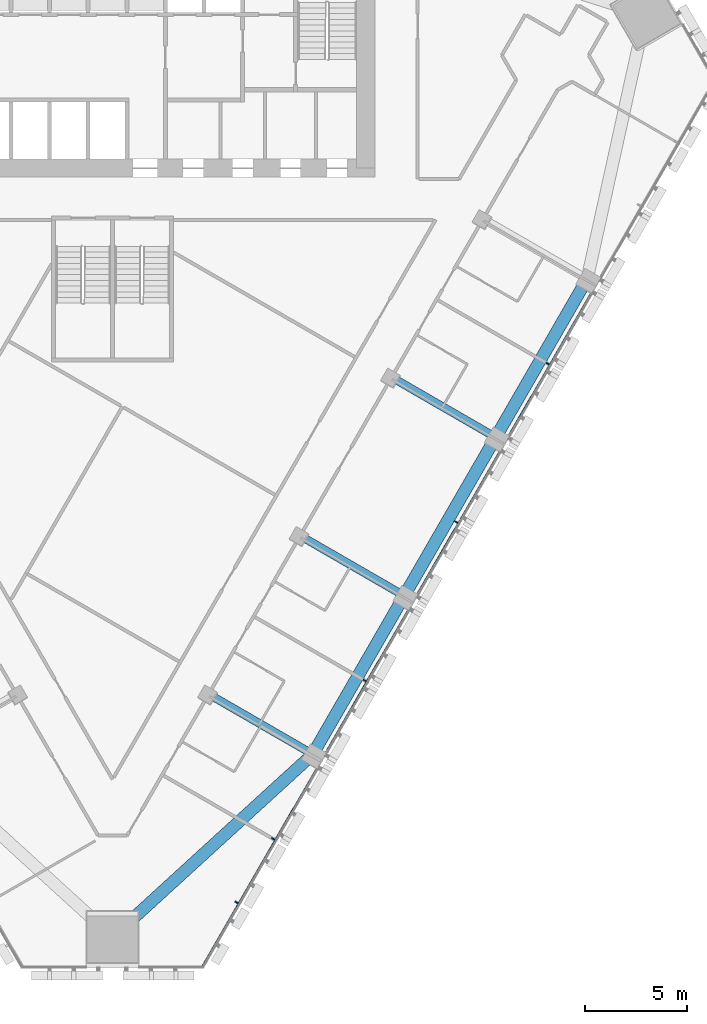
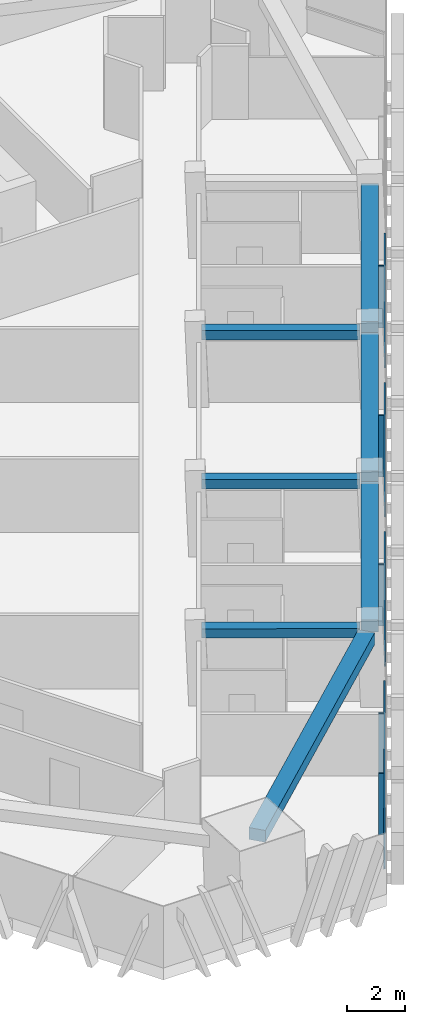
# One storey, part 4 of 16: 9 members, 7 beams, 1 element without a shape of its own.
"""IFC4 building model written with IfcOpenShell, lengths in metres."""

from ifc_helpers import new_model, si_unit, direction, frame, origin, origin_2d, place, context, subcontext, project, spatial, rectangle, extrude, material, layer, layer_set, material_profile, profile_set, type_object, element, aggregate, save


model = new_model("IFC4")

# Units and contexts
model_context = context("Model", 3, precision=1e-05, world=origin(), true_north=direction((0.0, 1.0)))
body_context = subcontext(model_context, "Body", "Model", "MODEL_VIEW")
ifc_project = project(units=[si_unit("LENGTHUNIT", "METRE"), si_unit("AREAUNIT", "SQUARE_METRE"), si_unit("VOLUMEUNIT", "CUBIC_METRE"), si_unit("PLANEANGLEUNIT", "RADIAN"), si_unit("MASSUNIT", "GRAM", prefix="KILO")], contexts=[model_context])

# Site, building, storey
site_placement = place(None, origin())
site = spatial("IfcSite", under=ifc_project, at=site_placement, CompositionType="ELEMENT")
building_placement = place(site_placement, origin())
building = spatial("IfcBuilding", under=site, at=building_placement, Name="Altiplano Prism Tower", CompositionType="ELEMENT")
storey_placement = place(building_placement, frame((0.0, 0.0, 77.39990234375)))
storey = spatial("IfcBuildingStorey", under=building, at=storey_placement, Name="L19", CompositionType="ELEMENT", Elevation=77.39990234375)

# Curtain wall, members
ifc_material_1 = material(Name="Aluminium and glass", Category="aluminium")
ifc_layer = layer(ifc_material_1, 0.280029296875)
ifc_layer_set = layer_set([ifc_layer], Name="Aluminium and glass")
curtain_wall_type = type_object("IfcCurtainWallType", Name="CW1 typical co-living unitised curtain wall", PredefinedType="NOTDEFINED", material=ifc_layer_set)
curtain_wall_placement = place(storey_placement, origin())
curtain_wall = element("IfcCurtainWall", 1, at=curtain_wall_placement, inside=storey, type_object=curtain_wall_type, Name="CW1 curtain wall south-east face L19", PredefinedType="NOTDEFINED")
ifc_material_2 = material(Name="Aluminium", Category="aluminium")
ifc_material_profile_1 = material_profile(ifc_material_2, rectangle(XDim=0.179931640625, YDim=0.06494140625, at=origin_2d()), Name="CW1 mullion 65 x 180")
ifc_profile_set_1 = profile_set([ifc_material_profile_1], Name="Aluminium")
member_type_1 = type_object("IfcMemberType", Name="CW1 mullion 65 x 180", PredefinedType="MULLION", material=ifc_profile_set_1)
member_1_placement = place(storey_placement, frame((91.099365234375, 56.82373046875, 0.0), z_axis=(0.0, 0.0, 1.0), x_axis=(-0.866025401193, 0.500000004489, 0.0)))
member_1 = element("IfcMember", 2, at=member_1_placement, type_object=member_type_1, Name="CW1 mullion", PredefinedType="MULLION", context=body_context, shape_type="SweptSolid", body=[
    extrude(rectangle(XDim=0.179931640625, YDim=0.06494140625, at=origin_2d()), origin(), (0.0, 0.0, 1.0), 2.60009765625),
])
member_2_placement = place(storey_placement, frame((92.902099609375, 59.9462890625, 0.0), z_axis=(0.0, 0.0, 1.0), x_axis=(-0.866025401193, 0.500000004489, 0.0)))
member_2 = element("IfcMember", 3, at=member_2_placement, type_object=member_type_1, Name="CW1 mullion", PredefinedType="MULLION", context=body_context, shape_type="SweptSolid", body=[
    extrude(rectangle(XDim=0.179931640625, YDim=0.06494140625, at=origin_2d()), origin(), (0.0, 0.0, 1.0), 2.60009765625),
])
member_3_placement = place(storey_placement, frame((97.402099609375, 67.740478515625, 0.0), z_axis=(0.0, 0.0, 1.0), x_axis=(-0.866025401193, 0.500000004489, 0.0)))
member_3 = element("IfcMember", 4, at=member_3_placement, type_object=member_type_1, Name="CW1 mullion", PredefinedType="MULLION", context=body_context, shape_type="SweptSolid", body=[
    extrude(rectangle(XDim=0.179931640625, YDim=0.06494140625, at=origin_2d()), origin(), (0.0, 0.0, 1.0), 2.60009765625),
])
member_4_placement = place(storey_placement, frame((101.902099609375, 75.53466796875, 0.0), z_axis=(0.0, 0.0, 1.0), x_axis=(-0.866025401193, 0.500000004489, 0.0)))
member_4 = element("IfcMember", 5, at=member_4_placement, type_object=member_type_1, Name="CW1 mullion", PredefinedType="MULLION", context=body_context, shape_type="SweptSolid", body=[
    extrude(rectangle(XDim=0.179931640625, YDim=0.06494140625, at=origin_2d()), origin(), (0.0, 0.0, 1.0), 2.60009765625),
])
member_5_placement = place(storey_placement, frame((106.402099609375, 83.328857421875, 0.0), z_axis=(0.0, 0.0, 1.0), x_axis=(-0.866025401193, 0.500000004489, 0.0)))
member_5 = element("IfcMember", 6, at=member_5_placement, type_object=member_type_1, Name="CW1 mullion", PredefinedType="MULLION", context=body_context, shape_type="SweptSolid", body=[
    extrude(rectangle(XDim=0.179931640625, YDim=0.06494140625, at=origin_2d()), origin(), (0.0, 0.0, 1.0), 2.60009765625),
])
ifc_material_profile_2 = material_profile(ifc_material_2, rectangle(XDim=0.06005859375, YDim=0.080078125, at=origin_2d()), Name="CW1 transom 80 x 60")
ifc_profile_set_2 = profile_set([ifc_material_profile_2], Name="Aluminium")
member_type_2 = type_object("IfcMemberType", Name="CW1 transom 80 x 60", PredefinedType="USERDEFINED", material=ifc_profile_set_2)
member_6_placement = place(storey_placement, frame((89.400634765625, 53.641357421875, 1.10009765625), z_axis=(0.499998344576, 0.866026359542, 0.0), x_axis=(-0.866026359542, 0.499998344576, 0.0)))
member_6 = element("IfcMember", 7, at=member_6_placement, type_object=member_type_2, Name="CW1 transom", ObjectType="TRANSOM", PredefinedType="USERDEFINED", context=body_context, shape_type="SweptSolid", body=[
    extrude(rectangle(XDim=0.06005859375, YDim=0.080078125, at=origin_2d()), origin(), (0.0, 0.0, 1.0), 11.26025390625),
])
member_7_placement = place(storey_placement, frame((95.520751953125, 64.241943359375, 1.10009765625), z_axis=(0.500012318566, 0.86601829154, 0.0), x_axis=(-0.86601829154, 0.500012318566, 0.0)))
member_7 = element("IfcMember", 8, at=member_7_placement, type_object=member_type_2, Name="CW1 transom", ObjectType="TRANSOM", PredefinedType="USERDEFINED", context=body_context, shape_type="SweptSolid", body=[
    extrude(rectangle(XDim=0.06005859375, YDim=0.080078125, at=origin_2d()), origin(), (0.0, 0.0, 1.0), 8.019775390625),
])
member_8_placement = place(storey_placement, frame((100.020751953125, 72.0361328125, 1.10009765625), z_axis=(0.500012318566, 0.86601829154, 0.0), x_axis=(-0.86601829154, 0.500012318566, 0.0)))
member_8 = element("IfcMember", 9, at=member_8_placement, type_object=member_type_2, Name="CW1 transom", ObjectType="TRANSOM", PredefinedType="USERDEFINED", context=body_context, shape_type="SweptSolid", body=[
    extrude(rectangle(XDim=0.06005859375, YDim=0.080078125, at=origin_2d()), origin(), (0.0, 0.0, 1.0), 8.019775390625),
])
member_9_placement = place(storey_placement, frame((104.520751953125, 79.830322265625, 1.10009765625), z_axis=(0.500012318566, 0.86601829154, 0.0), x_axis=(-0.86601829154, 0.500012318566, 0.0)))
member_9 = element("IfcMember", 10, at=member_9_placement, type_object=member_type_2, Name="CW1 transom", ObjectType="TRANSOM", PredefinedType="USERDEFINED", context=body_context, shape_type="SweptSolid", body=[
    extrude(rectangle(XDim=0.06005859375, YDim=0.080078125, at=origin_2d()), origin(), (0.0, 0.0, 1.0), 8.019775390625),
])
aggregate(curtain_wall, [member_1, member_2, member_6, member_3, member_7, member_4, member_8, member_5, member_9])

# Beams
ifc_material_3 = material(Name="Concrete C60/75", Category="concrete")
ifc_material_profile_3 = material_profile(ifc_material_3, rectangle(XDim=0.60009765625, YDim=0.5, at=origin_2d()), Name="Edge beam 600x500")
ifc_profile_set_3 = profile_set([ifc_material_profile_3], Name="Concrete C60/75")
beam_type_1 = type_object("IfcBeamType", Name="Edge beam 600x500", PredefinedType="SPANDREL", material=ifc_profile_set_3)
beam_1_placement = place(storey_placement, frame((85.332275390625, 55.420166015625, 2.85009765625), z_axis=(0.738308369815, 0.674463305941, 0.0), x_axis=(-0.674463305941, 0.738308369815, 0.0)))
element("IfcBeam", 11, at=beam_1_placement, inside=storey, type_object=beam_type_1, Name="Edge beam M1-P21 L20", PredefinedType="SPANDREL", context=body_context, shape_type="SweptSolid", body=[
    extrude(rectangle(XDim=0.60009765625, YDim=0.5, at=origin_2d()), origin(), (0.0, 0.0, 1.0), 12.534912109375),
])
for number, where, z_axis, x_axis, name in (
    (12, (95.011962890625, 64.397705078125, 2.85009765625), (0.499992746786, 0.866029591389, 0.0), (-0.866029591389, 0.499992746786, 0.0), "Edge beam P21-P22 L20"),
    (13, (99.511962890625, 72.19189453125, 2.85009765625), (0.499992746786, 0.866029591389, 0.0), (-0.866029591389, 0.499992746786, 0.0), "Edge beam P22-P23 L20"),
    (14, (104.011962890625, 79.986083984375, 2.85009765625), (0.499992746786, 0.866029591389, 0.0), (-0.866029591389, 0.499992746786, 0.0), "Edge beam P23-P24 L20"),
):
    element("IfcBeam", number, at=place(storey_placement, frame(where, z_axis=z_axis, x_axis=x_axis)), inside=storey, type_object=beam_type_1, Name=name, PredefinedType="SPANDREL", context=body_context, shape_type="SweptSolid", body=[
        extrude(rectangle(XDim=0.60009765625, YDim=0.5, at=origin_2d()), origin(), (0.0, 0.0, 1.0), 8.33984375),
    ])
ifc_material_profile_4 = material_profile(ifc_material_3, rectangle(XDim=0.39990234375, YDim=0.39990234375, at=origin_2d()), Name="Tie beam 400x400")
ifc_profile_set_4 = profile_set([ifc_material_profile_4], Name="Concrete C60/75")
beam_type_2 = type_object("IfcBeamType", Name="Tie beam 400x400", PredefinedType="BEAM", material=ifc_profile_set_4)
beam_2_placement = place(storey_placement, frame((89.806640625, 67.021728515625, 2.900146484375), z_axis=(0.866042665983, -0.499970099802, 0.0), x_axis=(0.499970099802, 0.866042665983, 0.0)))
element("IfcBeam", 15, at=beam_2_placement, inside=storey, type_object=beam_type_2, Name="Tie beam I21 L20", PredefinedType="BEAM", context=body_context, shape_type="SweptSolid", body=[
    extrude(rectangle(XDim=0.39990234375, YDim=0.39990234375, at=origin_2d()), origin(), (0.0, 0.0, 1.0), 5.489990234375),
])
for number, where, z_axis, x_axis, name in (
    (16, (94.306640625, 74.816162109375, 2.900146484375), (0.866023410697, -0.500003452112, 0.0), (0.500003452112, 0.866023410697, 0.0), "Tie beam I22 L20"),
    (17, (98.806640625, 82.6103515625, 2.900146484375), (0.866023410697, -0.500003452112, 0.0), (0.500003452112, 0.866023410697, 0.0), "Tie beam I23 L20"),
):
    element("IfcBeam", number, at=place(storey_placement, frame(where, z_axis=z_axis, x_axis=x_axis)), inside=storey, type_object=beam_type_2, Name=name, PredefinedType="BEAM", context=body_context, shape_type="SweptSolid", body=[
        extrude(rectangle(XDim=0.39990234375, YDim=0.39990234375, at=origin_2d()), origin(), (0.0, 0.0, 1.0), 5.490234375),
    ])

save(model, "model.ifc")
